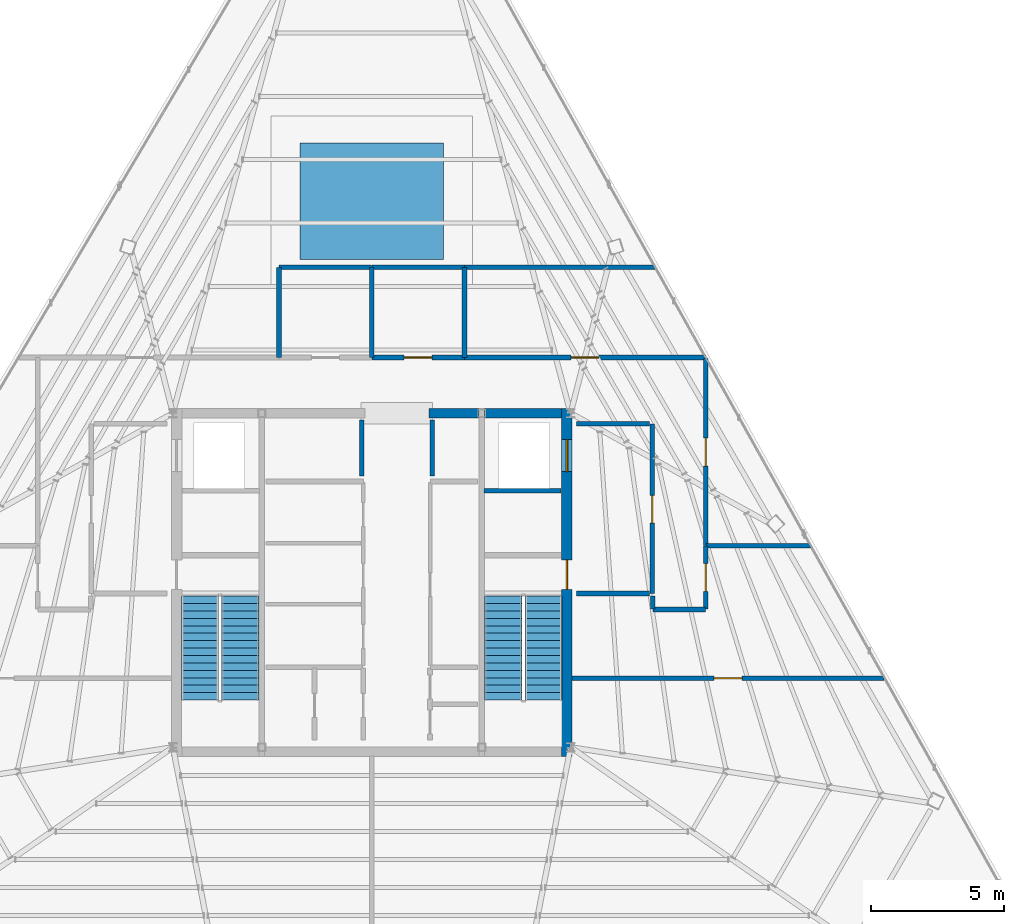
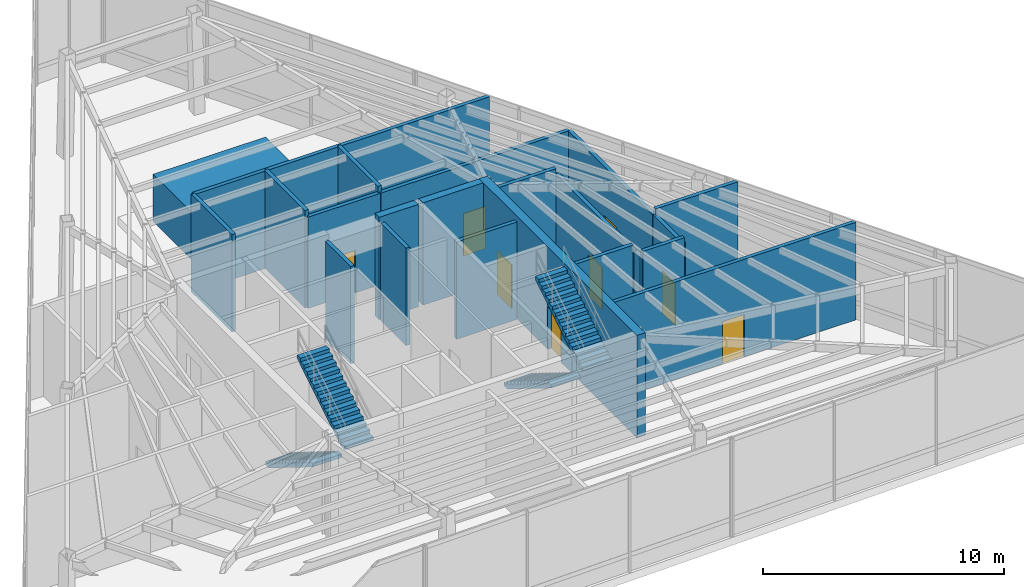
# One storey, part 24 of 25: 23 walls, 8 doors, 4 stair flights, 1 discrete accessory, 8 openings, 2 elements without a shape of their own.
"""IFC4 building model written with IfcOpenShell, lengths in metres."""

from ifc_helpers import new_model, si_unit, direction, frame, frame_2d, origin, origin_2d, place, context, subcontext, project, spatial, polyline, rectangle, outline, extrude, source, transform, mapped, material, layer, layer_set, type_object, type_shapes, element, fill, aggregate, save


model = new_model("IFC4")

# Units and contexts
model_context = context("Model", 3, precision=1e-05, world=origin(), true_north=direction((0.0, 1.0)))
body_context = subcontext(model_context, "Body", "Model", "MODEL_VIEW")
ifc_project = project(units=[si_unit("LENGTHUNIT", "METRE"), si_unit("AREAUNIT", "SQUARE_METRE"), si_unit("VOLUMEUNIT", "CUBIC_METRE"), si_unit("PLANEANGLEUNIT", "RADIAN"), si_unit("MASSUNIT", "GRAM", prefix="KILO")], contexts=[model_context])

# Site, building, storey
site_placement = place(None, origin())
site = spatial("IfcSite", under=ifc_project, at=site_placement, CompositionType="ELEMENT")
building_placement = place(site_placement, origin())
building = spatial("IfcBuilding", under=site, at=building_placement, Name="Caelisora Broadcast Tower", CompositionType="ELEMENT")
storey_placement = place(building_placement, frame((0.0, 0.0, 284.60009765625)))
storey = spatial("IfcBuildingStorey", under=building, at=storey_placement, Name="L75", CompositionType="ELEMENT", Elevation=284.60009765625)

# Wall, openings, doors
ifc_material_1 = material(Name="Concrete 40 MPa (AS 3600 N40)", Category="concrete")
ifc_layer_1 = layer(ifc_material_1, 0.39990234375, Name="Concrete 40 MPa (AS 3600 N40)")
ifc_layer_set_1 = layer_set([ifc_layer_1], Name="Concrete 40 MPa (AS 3600 N40)")
wall_type_1 = type_object("IfcWallType", Name="CW3", PredefinedType="SHEAR", material=ifc_layer_set_1)
wall_1_placement = place(storey_placement, frame((45.360107421875, 17.050048828125, 0.0), z_axis=(0.0, 0.0, 1.0), x_axis=(0.0, 1.0, 0.0)))
wall_1 = element("IfcWall", 1, at=wall_1_placement, inside=storey, type_object=wall_type_1, Name="L75 core shear wall CW3", PredefinedType="SHEAR", context=body_context, shape_type="SweptSolid", body=[
    extrude(rectangle(XDim=13.125, YDim=0.39990234375, at=frame_2d((6.5625, 0.0))), origin(), (0.0, 0.0, 1.0), 5.199951171875),
])
opening_1_placement = place(wall_1_placement, frame((6.300048828125, 0.0, 0.0)))
opening_1 = element("IfcOpeningElement", 2, at=opening_1_placement, cuts=wall_1, Name="Opening FD04", PredefinedType="OPENING", context=body_context, shape_type="SweptSolid", body=[
    extrude(rectangle(XDim=1.1201171875, YDim=2.14990234375, at=frame_2d((0.56005859375, 1.074951171875))), frame((0.0, 0.2119140625, 0.0), z_axis=(0.0, -1.0, 0.0), x_axis=(1.0, 0.0, 0.0)), (0.0, 0.0, 1.0), 0.423828125),
])
opening_2_placement = place(wall_1_placement, frame((10.75, 0.0, 0.0)))
opening_2 = element("IfcOpeningElement", 3, at=opening_2_placement, cuts=wall_1, Name="Opening LD04", PredefinedType="OPENING", context=body_context, shape_type="SweptSolid", body=[
    extrude(rectangle(XDim=1.199951171875, YDim=2.199951171875, at=frame_2d((0.60009765625, 1.10009765625))), frame((0.0, 0.2119140625, 0.0), z_axis=(0.0, -1.0, 0.0), x_axis=(1.0, 0.0, 0.0)), (0.0, 0.0, 1.0), 0.423828125),
])
ifc_material_2 = material(Name="Pressurised Fire-Isolated Stair Door", Category="steel")
door_type_1 = type_object("IfcDoorType", Name="FD04", OperationType="NOTDEFINED", PredefinedType="DOOR", material=ifc_material_2)
door_1_placement = place(opening_1_placement, origin())
door_1 = element("IfcDoor", 4, at=door_1_placement, inside=storey, type_object=door_type_1, Name="L75 door FD04 (L75-DR-ST2)", OperationType="SINGLE_SWING_RIGHT", OverallHeight=2.14990234375, OverallWidth=1.1201171875, PredefinedType="DOOR", context=body_context, shape_type="SweptSolid", body=[
    extrude(rectangle(XDim=1.1201171875, YDim=2.14990234375, at=frame_2d((0.56005859375, 1.074951171875))), frame((0.0, 0.02490234375, 0.0), z_axis=(0.0, -1.0, 0.0), x_axis=(1.0, 0.0, 0.0)), (0.0, 0.0, 1.0), 0.050048828125),
])
fill(opening_1, door_1)
ifc_material_3 = material(Name="Emergency Firefighting Lift Sliding Landing Door", Category="steel")
door_type_2 = type_object("IfcDoorType", Name="LD04", OperationType="NOTDEFINED", PredefinedType="DOOR", material=ifc_material_3)
door_2_placement = place(opening_2_placement, origin())
door_2 = element("IfcDoor", 5, at=door_2_placement, inside=storey, type_object=door_type_2, Name="L75 door LD04 (L75-LD-FFL2)", OperationType="SLIDING_TO_RIGHT", OverallHeight=2.199951171875, OverallWidth=1.199951171875, PredefinedType="DOOR", context=body_context, shape_type="SweptSolid", body=[
    extrude(rectangle(XDim=1.199951171875, YDim=2.199951171875, at=frame_2d((0.60009765625, 1.10009765625))), frame((0.0, 0.02490234375, 0.0), z_axis=(0.0, -1.0, 0.0), x_axis=(1.0, 0.0, 0.0)), (0.0, 0.0, 1.0), 0.050048828125),
])
fill(opening_2, door_2)

# Walls
ifc_layer_2 = layer(ifc_material_1, 0.35009765625, Name="Concrete 40 MPa (AS 3600 N40)")
ifc_layer_set_2 = layer_set([ifc_layer_2], Name="Concrete 40 MPa (AS 3600 N40)")
wall_type_2 = type_object("IfcWallType", Name="CW6", PredefinedType="SHEAR", material=ifc_layer_set_2)
wall_2_placement = place(storey_placement, frame((40.159912109375, 30.0, 0.0), z_axis=(0.0, 0.0, 1.0), x_axis=(1.0, 0.0, 0.0)))
element("IfcWall", 6, at=wall_2_placement, inside=storey, type_object=wall_type_2, Name="L75 core shear wall CW6", PredefinedType="SHEAR", context=body_context, shape_type="SweptSolid", body=[
    extrude(rectangle(XDim=1.880126953125, YDim=0.35009765625, at=frame_2d((0.93994140625, 0.0))), origin(), (0.0, 0.0, 1.0), 5.199951171875),
])
wall_3_placement = place(storey_placement, frame((42.260009765625, 30.0, 0.0), z_axis=(0.0, 0.0, 1.0), x_axis=(1.0, 0.0, 0.0)))
element("IfcWall", 7, at=wall_3_placement, inside=storey, type_object=wall_type_2, Name="L75 core shear wall CW6", PredefinedType="SHEAR", context=body_context, shape_type="SweptSolid", body=[
    extrude(rectangle(XDim=2.89990234375, YDim=0.35009765625, at=frame_2d((1.449951171875, 0.0))), origin(), (0.0, 0.0, 1.0), 5.199951171875),
])
ifc_material_4 = material(Name="Fire-Rated Gypsum Shaft and Compartment Wall", Category="gypsum")
ifc_layer_3 = layer(ifc_material_4, 0.179931640625, Name="Fire-Rated Gypsum Shaft and Compartment Wall")
ifc_layer_set_3 = layer_set([ifc_layer_3], Name="Fire-Rated Gypsum Shaft and Compartment Wall")
wall_type_3 = type_object("IfcWallType", Name="PW2", PredefinedType="PARTITIONING", material=ifc_layer_set_3)
for number, where, z_axis, x_axis, name in (
    (8, (37.6201171875, 27.639892578125, 0.0), (0.0, 0.0, 1.0), (0.0, 1.0, 0.0), "L75 fire compartment wall PW2"),
    (9, (40.280029296875, 27.639892578125, 0.0), (0.0, 0.0, 1.0), (0.0, 1.0, 0.0), "L75 fire compartment wall PW2"),
):
    element("IfcWall", number, at=place(storey_placement, frame(where, z_axis=z_axis, x_axis=x_axis)), inside=storey, type_object=wall_type_3, Name=name, PredefinedType="PARTITIONING", context=body_context, shape_type="SweptSolid", body=[
        extrude(rectangle(XDim=2.110107421875, YDim=0.179931640625, at=frame_2d((1.05517578125, 0.0))), origin(), (0.0, 0.0, 1.0), 4.949951171875),
    ])

# Wall, opening, door
wall_4_placement = place(storey_placement, frame((48.580078125, 23.199951171875, 0.0), z_axis=(0.0, 0.0, 1.0), x_axis=(0.0, 1.0, 0.0)))
wall_4 = element("IfcWall", 10, at=wall_4_placement, inside=storey, type_object=wall_type_3, Name="L75 fire compartment wall PW2", PredefinedType="PARTITIONING", context=body_context, shape_type="SweptSolid", body=[
    extrude(rectangle(XDim=6.400146484375, YDim=0.179931640625, at=frame_2d((3.2001953125, 0.0))), origin(), (0.0, 0.0, 1.0), 4.635009765625),
])
opening_3_placement = place(wall_4_placement, frame((2.64990234375, 0.0, 0.0)))
opening_3 = element("IfcOpeningElement", 11, at=opening_3_placement, cuts=wall_4, Name="Opening FD02", PredefinedType="OPENING", context=body_context, shape_type="SweptSolid", body=[
    extrude(rectangle(XDim=1.050048828125, YDim=2.14990234375, at=frame_2d((0.52490234375, 1.074951171875))), frame((0.0, 0.10205078125, 0.0), z_axis=(0.0, -1.0, 0.0), x_axis=(1.0, 0.0, 0.0)), (0.0, 0.0, 1.0), 0.203857421875),
])
ifc_material_5 = material(Name="Single-Leaf Steel Fire Lobby Door", Category="steel")
door_type_3 = type_object("IfcDoorType", Name="FD02", OperationType="NOTDEFINED", PredefinedType="DOOR", material=ifc_material_5)
door_3_placement = place(opening_3_placement, origin())
door_3 = element("IfcDoor", 12, at=door_3_placement, inside=storey, type_object=door_type_3, Name="L75 door FD02 (L75-DR-P04D1)", OperationType="SINGLE_SWING_LEFT", OverallHeight=2.14990234375, OverallWidth=1.050048828125, PredefinedType="DOOR", context=body_context, shape_type="SweptSolid", body=[
    extrude(rectangle(XDim=1.050048828125, YDim=2.14990234375, at=frame_2d((0.52490234375, 1.074951171875))), frame((0.0, 0.02490234375, 0.0), z_axis=(0.0, -1.0, 0.0), x_axis=(1.0, 0.0, 0.0)), (0.0, 0.0, 1.0), 0.050048828125),
])
fill(opening_3, door_3)

# Walls
for number, where, z_axis, x_axis, name in (
    (13, (45.719970703125, 23.199951171875, 0.0), (0.0, 0.0, 1.0), (1.0, 0.0, 0.0), "L75 fire compartment wall PW2"),
    (14, (45.719970703125, 29.60009765625, 0.0), (0.0, 0.0, 1.0), (1.0, 0.0, 0.0), "L75 fire compartment wall PW2"),
):
    element("IfcWall", number, at=place(storey_placement, frame(where, z_axis=z_axis, x_axis=x_axis)), inside=storey, type_object=wall_type_3, Name=name, PredefinedType="PARTITIONING", context=body_context, shape_type="SweptSolid", body=[
        extrude(rectangle(XDim=2.760009765625, YDim=0.179931640625, at=frame_2d((1.3798828125, 0.0))), origin(), (0.0, 0.0, 1.0), 4.949951171875),
    ])
wall_5_placement = place(storey_placement, frame((42.239990234375, 27.070068359375, 0.0), z_axis=(0.0, 0.0, 1.0), x_axis=(1.0, 0.0, 0.0)))
element("IfcWall", 15, at=wall_5_placement, inside=storey, type_object=wall_type_3, Name="L75 fire compartment wall PW2", PredefinedType="PARTITIONING", context=body_context, shape_type="SweptSolid", body=[
    extrude(rectangle(XDim=2.89990234375, YDim=0.179931640625, at=frame_2d((1.449951171875, 0.0))), origin(), (0.0, 0.0, 1.0), 4.949951171875),
])

# Wall, opening, door
wall_6_placement = place(storey_placement, frame((45.554931640625, 20.0, 0.0), z_axis=(0.0, 0.0, 1.0), x_axis=(1.0, 0.0, 0.0)))
wall_6 = element("IfcWall", 16, at=wall_6_placement, inside=storey, type_object=wall_type_3, Name="L75 fire compartment wall PW2", PredefinedType="PARTITIONING", context=body_context, shape_type="SweptSolid", body=[
    extrude(rectangle(XDim=11.775146484375, YDim=0.179931640625, at=frame_2d((5.8876953125, 0.0))), origin(), (0.0, 0.0, 1.0), 4.949951171875),
])
opening_4_placement = place(wall_6_placement, frame((5.362060546875, 0.0, 0.0)))
opening_4 = element("IfcOpeningElement", 17, at=opening_4_placement, cuts=wall_6, Name="Opening FD02", PredefinedType="OPENING", context=body_context, shape_type="SweptSolid", body=[
    extrude(rectangle(XDim=1.050048828125, YDim=2.14990234375, at=frame_2d((0.52490234375, 1.074951171875))), frame((0.0, 0.10205078125, 0.0), z_axis=(0.0, -1.0, 0.0), x_axis=(1.0, 0.0, 0.0)), (0.0, 0.0, 1.0), 0.203857421875),
])
door_4_placement = place(opening_4_placement, origin())
door_4 = element("IfcDoor", 18, at=door_4_placement, inside=storey, type_object=door_type_3, Name="L75 door FD02 (L75-DR-P20D1)", OperationType="SINGLE_SWING_LEFT", OverallHeight=2.14990234375, OverallWidth=1.050048828125, PredefinedType="DOOR", context=body_context, shape_type="SweptSolid", body=[
    extrude(rectangle(XDim=1.050048828125, YDim=2.14990234375, at=frame_2d((0.52490234375, 1.074951171875))), frame((0.0, 0.02490234375, 0.0), z_axis=(0.0, -1.0, 0.0), x_axis=(1.0, 0.0, 0.0)), (0.0, 0.0, 1.0), 0.050048828125),
])
fill(opening_4, door_4)

wall_7_placement = place(storey_placement, frame((41.5048828125, 32.10009765625, 0.0), z_axis=(0.0, 0.0, 1.0), x_axis=(1.0, 0.0, 0.0)))
wall_7 = element("IfcWall", 19, at=wall_7_placement, inside=storey, type_object=wall_type_3, Name="L75 fire compartment wall PW2", PredefinedType="PARTITIONING", context=body_context, shape_type="SweptSolid", body=[
    extrude(rectangle(XDim=9.0751953125, YDim=0.179931640625, at=frame_2d((4.53759765625, 0.0))), origin(), (0.0, 0.0, 1.0), 4.635009765625),
])
opening_5_placement = place(wall_7_placement, frame((4.011962890625, 0.0, 0.0)))
opening_5 = element("IfcOpeningElement", 20, at=opening_5_placement, cuts=wall_7, Name="Opening FD02", PredefinedType="OPENING", context=body_context, shape_type="SweptSolid", body=[
    extrude(rectangle(XDim=1.050048828125, YDim=2.14990234375, at=frame_2d((0.52490234375, 1.074951171875))), frame((0.0, 0.10205078125, 0.0), z_axis=(0.0, -1.0, 0.0), x_axis=(1.0, 0.0, 0.0)), (0.0, 0.0, 1.0), 0.203857421875),
])
door_5_placement = place(opening_5_placement, origin())
door_5 = element("IfcDoor", 21, at=door_5_placement, inside=storey, type_object=door_type_3, Name="L75 door FD02 (L75-DR-P22D1)", OperationType="SINGLE_SWING_LEFT", OverallHeight=2.14990234375, OverallWidth=1.050048828125, PredefinedType="DOOR", context=body_context, shape_type="SweptSolid", body=[
    extrude(rectangle(XDim=1.050048828125, YDim=2.14990234375, at=frame_2d((0.52490234375, 1.074951171875))), frame((0.0, 0.02490234375, 0.0), z_axis=(0.0, -1.0, 0.0), x_axis=(1.0, 0.0, 0.0)), (0.0, 0.0, 1.0), 0.050048828125),
])
fill(opening_5, door_5)

# Wall
wall_8_placement = place(storey_placement, frame((41.5048828125, 35.5, 0.0), z_axis=(0.0, 0.0, 1.0), x_axis=(1.0, 0.0, 0.0)))
element("IfcWall", 22, at=wall_8_placement, inside=storey, type_object=wall_type_3, Name="L75 fire compartment wall PW2", PredefinedType="PARTITIONING", context=body_context, shape_type="SweptSolid", body=[
    extrude(rectangle(XDim=7.175048828125, YDim=0.179931640625, at=frame_2d((3.58740234375, 0.0))), origin(), (0.0, 0.0, 1.0), 4.949951171875),
])

# Wall, opening, door
wall_9_placement = place(storey_placement, frame((50.60009765625, 25.0048828125, 0.0), z_axis=(0.0, 0.0, 1.0), x_axis=(0.0, 1.0, 0.0)))
wall_9 = element("IfcWall", 23, at=wall_9_placement, inside=storey, type_object=wall_type_3, Name="L75 fire compartment wall PW2", PredefinedType="PARTITIONING", context=body_context, shape_type="SweptSolid", body=[
    extrude(rectangle(XDim=7.05517578125, YDim=0.179931640625, at=frame_2d((3.527587890625, 0.0))), origin(), (0.0, 0.0, 1.0), 4.635009765625),
])
opening_6_placement = place(wall_9_placement, frame((3.0029296875, 0.0, 0.0)))
opening_6 = element("IfcOpeningElement", 24, at=opening_6_placement, cuts=wall_9, Name="Opening FD02", PredefinedType="OPENING", context=body_context, shape_type="SweptSolid", body=[
    extrude(rectangle(XDim=1.050048828125, YDim=2.14990234375, at=frame_2d((0.52490234375, 1.074951171875))), frame((0.0, 0.10205078125, 0.0), z_axis=(0.0, -1.0, 0.0), x_axis=(1.0, 0.0, 0.0)), (0.0, 0.0, 1.0), 0.203857421875),
])
door_6_placement = place(opening_6_placement, origin())
door_6 = element("IfcDoor", 25, at=door_6_placement, inside=storey, type_object=door_type_3, Name="L75 door FD02 (L75-DR-P26D1)", OperationType="SINGLE_SWING_RIGHT", OverallHeight=2.14990234375, OverallWidth=1.050048828125, PredefinedType="DOOR", context=body_context, shape_type="SweptSolid", body=[
    extrude(rectangle(XDim=1.050048828125, YDim=2.14990234375, at=frame_2d((0.52490234375, 1.074951171875))), frame((0.0, 0.02490234375, 0.0), z_axis=(0.0, -1.0, 0.0), x_axis=(1.0, 0.0, 0.0)), (0.0, 0.0, 1.0), 0.050048828125),
])
fill(opening_6, door_6)

# Wall
wall_10_placement = place(storey_placement, frame((50.60498046875, 25.0, 0.0), z_axis=(0.0, 0.0, 1.0), x_axis=(1.0, 0.0, 0.0)))
element("IfcWall", 26, at=wall_10_placement, inside=storey, type_object=wall_type_3, Name="L75 fire compartment wall PW2", PredefinedType="PARTITIONING", context=body_context, shape_type="SweptSolid", body=[
    extrude(rectangle(XDim=3.93505859375, YDim=0.179931640625, at=frame_2d((1.967529296875, 0.0))), origin(), (0.0, 0.0, 1.0), 4.949951171875),
])

# Wall, opening, door
wall_11_placement = place(storey_placement, frame((38.0048828125, 32.10009765625, 0.0), z_axis=(0.0, 0.0, 1.0), x_axis=(1.0, 0.0, 0.0)))
wall_11 = element("IfcWall", 27, at=wall_11_placement, inside=storey, type_object=wall_type_3, Name="L75 fire compartment wall PW2", PredefinedType="PARTITIONING", context=body_context, shape_type="SweptSolid", body=[
    extrude(rectangle(XDim=3.490234375, YDim=0.179931640625, at=frame_2d((1.7451171875, 0.0))), origin(), (0.0, 0.0, 1.0), 4.635009765625),
])
opening_7_placement = place(wall_11_placement, frame((1.219970703125, 0.0, 0.0)))
opening_7 = element("IfcOpeningElement", 28, at=opening_7_placement, cuts=wall_11, Name="Opening FD02", PredefinedType="OPENING", context=body_context, shape_type="SweptSolid", body=[
    extrude(rectangle(XDim=1.050048828125, YDim=2.14990234375, at=frame_2d((0.52490234375, 1.074951171875))), frame((0.0, 0.10205078125, 0.0), z_axis=(0.0, -1.0, 0.0), x_axis=(1.0, 0.0, 0.0)), (0.0, 0.0, 1.0), 0.203857421875),
])
door_7_placement = place(opening_7_placement, origin())
door_7 = element("IfcDoor", 29, at=door_7_placement, inside=storey, type_object=door_type_3, Name="L75 door FD02 (L75-DR-P30D1)", OperationType="SINGLE_SWING_RIGHT", OverallHeight=2.14990234375, OverallWidth=1.050048828125, PredefinedType="DOOR", context=body_context, shape_type="SweptSolid", body=[
    extrude(rectangle(XDim=1.050048828125, YDim=2.14990234375, at=frame_2d((0.52490234375, 1.074951171875))), frame((0.0, 0.02490234375, 0.0), z_axis=(0.0, -1.0, 0.0), x_axis=(1.0, 0.0, 0.0)), (0.0, 0.0, 1.0), 0.050048828125),
])
fill(opening_7, door_7)

# Walls
for number, where, z_axis, x_axis, name in (
    (30, (34.5048828125, 35.5, 0.0), (0.0, 0.0, 1.0), (1.0, 0.0, 0.0), "L75 fire compartment wall PW2"),
    (31, (38.0048828125, 35.5, 0.0), (0.0, 0.0, 1.0), (1.0, 0.0, 0.0), "L75 fire compartment wall PW2"),
):
    element("IfcWall", number, at=place(storey_placement, frame(where, z_axis=z_axis, x_axis=x_axis)), inside=storey, type_object=wall_type_3, Name=name, PredefinedType="PARTITIONING", context=body_context, shape_type="SweptSolid", body=[
        extrude(rectangle(XDim=3.490234375, YDim=0.179931640625, at=frame_2d((1.7451171875, 0.0))), origin(), (0.0, 0.0, 1.0), 4.949951171875),
    ])
for number, where, z_axis, x_axis, name in (
    (32, (34.5, 32.10498046875, 0.0), (0.0, 0.0, 1.0), (0.0, 1.0, 0.0), "L75 fire compartment wall PW2"),
    (33, (38.0, 32.10498046875, 0.0), (0.0, 0.0, 1.0), (0.0, 1.0, 0.0), "L75 fire compartment wall PW2"),
    (34, (41.5, 32.10498046875, 0.0), (0.0, 0.0, 1.0), (0.0, 1.0, 0.0), "L75 fire compartment wall PW2"),
):
    element("IfcWall", number, at=place(storey_placement, frame(where, z_axis=z_axis, x_axis=x_axis)), inside=storey, type_object=wall_type_3, Name=name, PredefinedType="PARTITIONING", context=body_context, shape_type="SweptSolid", body=[
        extrude(rectangle(XDim=3.39013671875, YDim=0.179931640625, at=frame_2d((1.695068359375, 0.0))), origin(), (0.0, 0.0, 1.0), 4.949951171875),
    ])

# Wall, opening, door
wall_12_placement = place(storey_placement, frame((50.60009765625, 22.60498046875, 0.0), z_axis=(0.0, 0.0, 1.0), x_axis=(0.0, 1.0, 0.0)))
wall_12 = element("IfcWall", 35, at=wall_12_placement, inside=storey, type_object=wall_type_3, Name="L75 fire compartment wall PW2", PredefinedType="PARTITIONING", context=body_context, shape_type="SweptSolid", body=[
    extrude(rectangle(XDim=2.39013671875, YDim=0.179931640625, at=frame_2d((1.195068359375, 0.0))), origin(), (0.0, 0.0, 1.0), 4.635009765625),
])
opening_8_placement = place(wall_12_placement, frame((0.669921875, 0.0, 0.0)))
opening_8 = element("IfcOpeningElement", 36, at=opening_8_placement, cuts=wall_12, Name="Opening FD02", PredefinedType="OPENING", context=body_context, shape_type="SweptSolid", body=[
    extrude(rectangle(XDim=1.050048828125, YDim=2.14990234375, at=frame_2d((0.52490234375, 1.074951171875))), frame((0.0, 0.10205078125, 0.0), z_axis=(0.0, -1.0, 0.0), x_axis=(1.0, 0.0, 0.0)), (0.0, 0.0, 1.0), 0.203857421875),
])
door_8_placement = place(opening_8_placement, origin())
door_8 = element("IfcDoor", 37, at=door_8_placement, inside=storey, type_object=door_type_3, Name="L75 door FD02 (L75-DR-P36D1)", OperationType="SINGLE_SWING_LEFT", OverallHeight=2.14990234375, OverallWidth=1.050048828125, PredefinedType="DOOR", context=body_context, shape_type="SweptSolid", body=[
    extrude(rectangle(XDim=1.050048828125, YDim=2.14990234375, at=frame_2d((0.52490234375, 1.074951171875))), frame((0.0, 0.02490234375, 0.0), z_axis=(0.0, -1.0, 0.0), x_axis=(1.0, 0.0, 0.0)), (0.0, 0.0, 1.0), 0.050048828125),
])
fill(opening_8, door_8)

# Walls
wall_13_placement = place(storey_placement, frame((48.60498046875, 22.60009765625, 0.0), z_axis=(0.0, 0.0, 1.0), x_axis=(1.0, 0.0, 0.0)))
element("IfcWall", 38, at=wall_13_placement, inside=storey, type_object=wall_type_3, Name="L75 fire compartment wall PW2", PredefinedType="PARTITIONING", context=body_context, shape_type="SweptSolid", body=[
    extrude(rectangle(XDim=1.989990234375, YDim=0.179931640625, at=frame_2d((0.9951171875, 0.0))), origin(), (0.0, 0.0, 1.0), 4.949951171875),
])
wall_14_placement = place(storey_placement, frame((48.60009765625, 23.10498046875, 0.0), z_axis=(0.0, 0.0, 1.0), x_axis=(0.0, -1.0, 0.0)))
element("IfcWall", 39, at=wall_14_placement, inside=storey, type_object=wall_type_3, Name="L75 fire compartment wall PW2", PredefinedType="PARTITIONING", context=body_context, shape_type="SweptSolid", body=[
    extrude(rectangle(XDim=0.5, YDim=0.179931640625, at=frame_2d((0.25, 0.0))), origin(), (0.0, 0.0, 1.0), 4.635009765625),
])

# Stair, stair flights
stair_type_1 = type_object("IfcStairType", Name="ST-1", PredefinedType="HALF_TURN_STAIR", material=ifc_material_1)
stair_1_placement = place(storey_placement, origin())
stair_1 = element("IfcStair", 40, at=stair_1_placement, inside=storey, type_object=stair_type_1, Name="L75 West Fire-Isolated Tower Stair", PredefinedType="HALF_TURN_STAIR")
stair_flight_type = type_object("IfcStairFlightType", Name="STF-4", PredefinedType="STRAIGHT", material=ifc_material_1)
stair_flight_1_placement = place(storey_placement, frame((31.52001953125, 23.10009765625, 0.0), z_axis=(0.0, 0.0, 1.0), x_axis=(0.0, -1.0, 0.0)))
stair_flight_1 = element("IfcStairFlight", 41, at=stair_flight_1_placement, type_object=stair_flight_type, Name="ST-1 flight 1", NumberOfRisers=15, NumberOfTreads=14, PredefinedType="STRAIGHT", RiserHeight=0.173333333, TreadLength=0.28, context=body_context, shape_type="SweptSolid", body=[
    extrude(outline(polyline([(0.0, 0.0), (0.0, 0.17333984375), (0.280029296875, 0.17333984375), (0.280029296875, 0.3466796875), (0.56005859375, 0.3466796875), (0.56005859375, 0.52001953125), (0.840087890625, 0.52001953125), (0.840087890625, 0.693359375), (1.1201171875, 0.693359375), (1.1201171875, 0.86669921875), (1.39990234375, 0.86669921875), (1.39990234375, 1.0400390625), (1.679931640625, 1.0400390625), (1.679931640625, 1.21337890625), (1.9599609375, 1.21337890625), (1.9599609375, 1.38671875), (2.239990234375, 1.38671875), (2.239990234375, 1.56005859375), (2.52001953125, 1.56005859375), (2.52001953125, 1.7333984375), (2.800048828125, 1.7333984375), (2.800048828125, 1.90673828125), (3.080078125, 1.90673828125), (3.080078125, 2.080078125), (3.360107421875, 2.080078125), (3.360107421875, 2.25341796875), (3.639892578125, 2.25341796875), (3.639892578125, 2.4267578125), (3.919921875, 2.4267578125), (3.919921875, 2.60009765625), (3.919921875, 2.250244140625), (0.284912109375, 0.0), (0.0, 0.0)])), frame((0.0, 0.699951171875, 0.0), z_axis=(0.0, -1.0, 0.0), x_axis=(1.0, 0.0, 0.0)), (0.0, 0.0, 1.0), 1.39990234375),
])
stair_flight_2_placement = place(storey_placement, frame((33.0400390625, 19.179931640625, 2.599853515625), z_axis=(0.0, 0.0, 1.0), x_axis=(0.0, 1.0, 0.0)))
stair_flight_2 = element("IfcStairFlight", 42, at=stair_flight_2_placement, type_object=stair_flight_type, Name="ST-1 flight 2", NumberOfRisers=15, NumberOfTreads=14, PredefinedType="STRAIGHT", RiserHeight=0.173333333, TreadLength=0.28, context=body_context, shape_type="SweptSolid", body=[
    extrude(outline(polyline([(0.0, 0.0), (0.0, 0.17333984375), (0.280029296875, 0.17333984375), (0.280029296875, 0.3466796875), (0.56005859375, 0.3466796875), (0.56005859375, 0.52001953125), (0.840087890625, 0.52001953125), (0.840087890625, 0.693359375), (1.1201171875, 0.693359375), (1.1201171875, 0.86669921875), (1.39990234375, 0.86669921875), (1.39990234375, 1.0400390625), (1.679931640625, 1.0400390625), (1.679931640625, 1.21337890625), (1.9599609375, 1.21337890625), (1.9599609375, 1.38671875), (2.239990234375, 1.38671875), (2.239990234375, 1.56005859375), (2.52001953125, 1.56005859375), (2.52001953125, 1.7333984375), (2.800048828125, 1.7333984375), (2.800048828125, 1.90673828125), (3.080078125, 1.90673828125), (3.080078125, 2.080078125), (3.360107421875, 2.080078125), (3.360107421875, 2.25341796875), (3.639892578125, 2.25341796875), (3.639892578125, 2.4267578125), (3.919921875, 2.4267578125), (3.919921875, 2.60009765625), (3.919921875, 2.250244140625), (0.284912109375, 0.0), (0.0, 0.0)])), frame((0.0, 0.699951171875, 0.0), z_axis=(0.0, -1.0, 0.0), x_axis=(1.0, 0.0, 0.0)), (0.0, 0.0, 1.0), 1.39990234375),
])
aggregate(stair_1, [stair_flight_1, stair_flight_2])

stair_type_2 = type_object("IfcStairType", Name="ST-2", PredefinedType="HALF_TURN_STAIR", material=ifc_material_1)
stair_2_placement = place(storey_placement, origin())
stair_2 = element("IfcStair", 43, at=stair_2_placement, inside=storey, type_object=stair_type_2, Name="L75 East Fire-Isolated Tower Stair", PredefinedType="HALF_TURN_STAIR")
stair_flight_3_placement = place(storey_placement, frame((42.9599609375, 23.10009765625, 0.0), z_axis=(0.0, 0.0, 1.0), x_axis=(0.0, -1.0, 0.0)))
stair_flight_3 = element("IfcStairFlight", 44, at=stair_flight_3_placement, type_object=stair_flight_type, Name="ST-2 flight 1", NumberOfRisers=15, NumberOfTreads=14, PredefinedType="STRAIGHT", RiserHeight=0.173333333, TreadLength=0.28, context=body_context, shape_type="SweptSolid", body=[
    extrude(outline(polyline([(0.0, 0.0), (0.0, 0.17333984375), (0.280029296875, 0.17333984375), (0.280029296875, 0.3466796875), (0.56005859375, 0.3466796875), (0.56005859375, 0.52001953125), (0.840087890625, 0.52001953125), (0.840087890625, 0.693359375), (1.1201171875, 0.693359375), (1.1201171875, 0.86669921875), (1.39990234375, 0.86669921875), (1.39990234375, 1.0400390625), (1.679931640625, 1.0400390625), (1.679931640625, 1.21337890625), (1.9599609375, 1.21337890625), (1.9599609375, 1.38671875), (2.239990234375, 1.38671875), (2.239990234375, 1.56005859375), (2.52001953125, 1.56005859375), (2.52001953125, 1.7333984375), (2.800048828125, 1.7333984375), (2.800048828125, 1.90673828125), (3.080078125, 1.90673828125), (3.080078125, 2.080078125), (3.360107421875, 2.080078125), (3.360107421875, 2.25341796875), (3.639892578125, 2.25341796875), (3.639892578125, 2.4267578125), (3.919921875, 2.4267578125), (3.919921875, 2.60009765625), (3.919921875, 2.250244140625), (0.284912109375, 0.0), (0.0, 0.0)])), frame((0.0, 0.699951171875, 0.0), z_axis=(0.0, -1.0, 0.0), x_axis=(1.0, 0.0, 0.0)), (0.0, 0.0, 1.0), 1.39990234375),
])
stair_flight_4_placement = place(storey_placement, frame((44.47998046875, 19.179931640625, 2.599853515625), z_axis=(0.0, 0.0, 1.0), x_axis=(0.0, 1.0, 0.0)))
stair_flight_4 = element("IfcStairFlight", 45, at=stair_flight_4_placement, type_object=stair_flight_type, Name="ST-2 flight 2", NumberOfRisers=15, NumberOfTreads=14, PredefinedType="STRAIGHT", RiserHeight=0.173333333, TreadLength=0.28, context=body_context, shape_type="SweptSolid", body=[
    extrude(outline(polyline([(0.0, 0.0), (0.0, 0.17333984375), (0.280029296875, 0.17333984375), (0.280029296875, 0.3466796875), (0.56005859375, 0.3466796875), (0.56005859375, 0.52001953125), (0.840087890625, 0.52001953125), (0.840087890625, 0.693359375), (1.1201171875, 0.693359375), (1.1201171875, 0.86669921875), (1.39990234375, 0.86669921875), (1.39990234375, 1.0400390625), (1.679931640625, 1.0400390625), (1.679931640625, 1.21337890625), (1.9599609375, 1.21337890625), (1.9599609375, 1.38671875), (2.239990234375, 1.38671875), (2.239990234375, 1.56005859375), (2.52001953125, 1.56005859375), (2.52001953125, 1.7333984375), (2.800048828125, 1.7333984375), (2.800048828125, 1.90673828125), (3.080078125, 1.90673828125), (3.080078125, 2.080078125), (3.360107421875, 2.080078125), (3.360107421875, 2.25341796875), (3.639892578125, 2.25341796875), (3.639892578125, 2.4267578125), (3.919921875, 2.4267578125), (3.919921875, 2.60009765625), (3.919921875, 2.250244140625), (0.284912109375, 0.0), (0.0, 0.0)])), frame((0.0, 0.699951171875, 0.0), z_axis=(0.0, -1.0, 0.0), x_axis=(1.0, 0.0, 0.0)), (0.0, 0.0, 1.0), 1.39990234375),
])
aggregate(stair_2, [stair_flight_3, stair_flight_4])

# Discrete accessory
ifc_material_6 = material(Name="Steel Grade 350 (AS/NZS 3679.1)", Category="steel")
discrete_accessory_type = type_object("IfcDiscreteAccessoryType", Name="BRK-1", PredefinedType="BRACKET", material=ifc_material_6)
shared_shape = source(origin(), body_context, "Body", "SweptSolid", [
    extrude(rectangle(XDim=5.39990234375, YDim=4.39990234375, at=origin_2d()), origin(), (0.0, 0.0, 1.0), 2.39990234375),
])
type_shapes(discrete_accessory_type, [shared_shape])
discrete_accessory_placement = place(storey_placement, frame((38.0, 38.0, 0.39990234375), z_axis=(0.0, 0.0, 1.0), x_axis=(1.0, 0.0, 0.0)))
element("IfcDiscreteAccessory", 46, at=discrete_accessory_placement, inside=storey, type_object=discrete_accessory_type, Name="L75 600-tonne tuned mass damper inertial block", PredefinedType="BRACKET", context=body_context, shape_type="MappedRepresentation", body=[
    mapped(shared_shape, transform((0.0, 0.0, 0.0), scale=1.0)),
])

save(model, "model.ifc")
